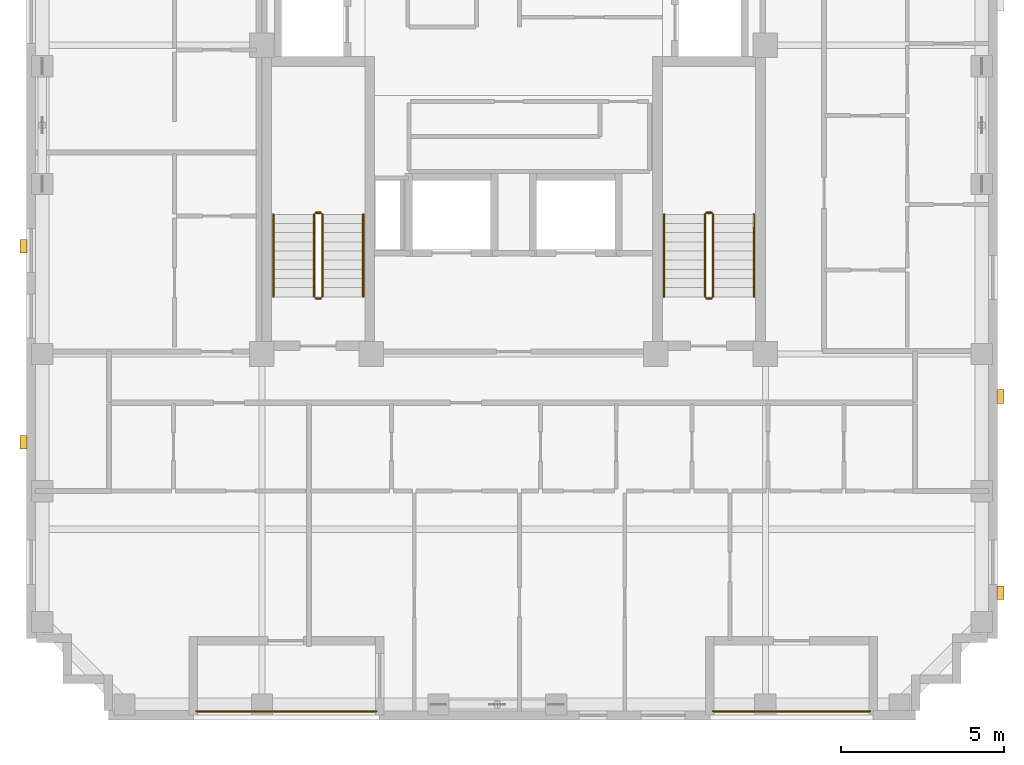
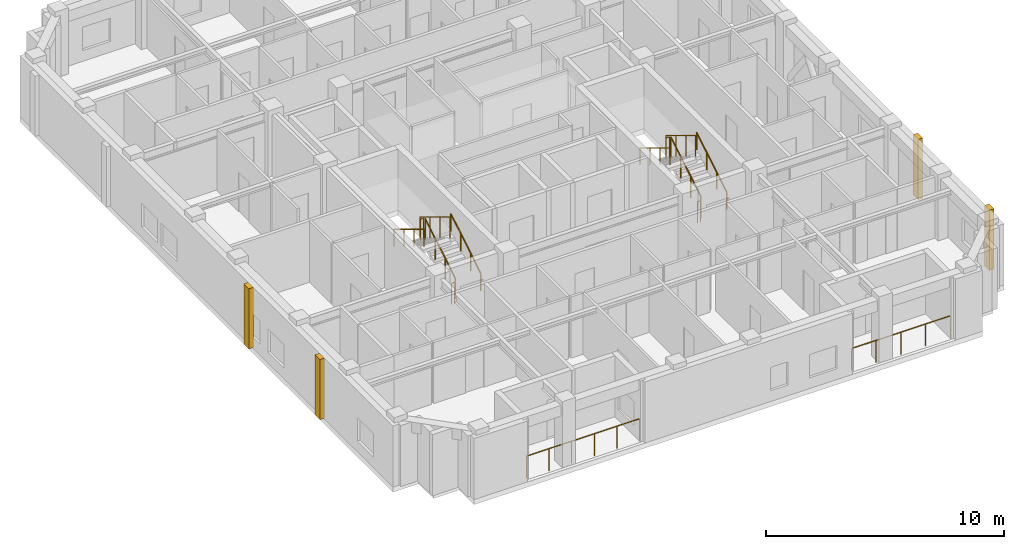
# One storey, part 10 of 11: 14 railings, 4 coverings.
"""IFC4 building model written with IfcOpenShell, lengths in metres."""

from ifc_helpers import new_model, si_unit, derived_unit, direction, frame, origin, origin_2d, place, context, subcontext, project, spatial, rectangle, circle, extrude, material, layer, layer_set, type_object, element, save


model = new_model("IFC4")

# Units and contexts
model_context = context("Model", 3, precision=1e-05, world=origin(), true_north=direction((0.0, 1.0)))
body_context = subcontext(model_context, "Body", "Model", "MODEL_VIEW")
ifc_project = project(units=[si_unit("LENGTHUNIT", "METRE"), si_unit("AREAUNIT", "SQUARE_METRE"), si_unit("VOLUMEUNIT", "CUBIC_METRE"), si_unit("PLANEANGLEUNIT", "RADIAN"), si_unit("MASSUNIT", "GRAM", prefix="KILO"), derived_unit("THERMALTRANSMITTANCEUNIT", [(si_unit("MASSUNIT", "GRAM", prefix="KILO"), 1), (si_unit("TIMEUNIT", "SECOND"), -3), (si_unit("THERMODYNAMICTEMPERATUREUNIT", "KELVIN"), -1)])], contexts=[model_context])

# Site, building, storey
site_placement = place(None, origin())
site = spatial("IfcSite", under=ifc_project, at=site_placement, CompositionType="ELEMENT")
building_placement = place(site_placement, origin())
building = spatial("IfcBuilding", under=site, at=building_placement, Name="Korrvale Station Residences", CompositionType="ELEMENT")
storey_placement = place(building_placement, frame((0.0, 0.0, 241.10009765625)))
storey = spatial("IfcBuildingStorey", under=building, at=storey_placement, Name="L70", CompositionType="ELEMENT", Elevation=241.10009765625)

# Coverings
ifc_material_1 = material(Name="Architectural precast concrete C45/55", Category="concrete")
ifc_layer = layer(ifc_material_1, 0.219970703125, Name="Architectural precast concrete C45/55")
ifc_layer_set = layer_set([ifc_layer], Name="Architectural precast concrete C45/55")
covering_type = type_object("IfcCoveringType", Name="COV-PIER-400", PredefinedType="CLADDING", material=ifc_layer_set)
for number, where, z_axis, x_axis, name in (
    (1, (10.510009765625, 12.300048828125, 0.02490234375), (0.0, 0.0, 1.0), (0.0, 1.0, 0.0), "L70 Architectural Precast Facade Pier 02"),
    (2, (10.510009765625, 18.300048828125, 0.02490234375), (0.0, 0.0, 1.0), (0.0, 1.0, 0.0), "L70 Architectural Precast Facade Pier 03"),
    (3, (40.389892578125, 13.699951171875, 0.02490234375), (0.0, 0.0, 1.0), (0.0, 1.0, 0.0), "L70 Architectural Precast Facade Pier 08"),
    (4, (40.389892578125, 7.699951171875, 0.02490234375), (0.0, 0.0, 1.0), (0.0, 1.0, 0.0), "L70 Architectural Precast Facade Pier 09"),
):
    element("IfcCovering", number, at=place(storey_placement, frame(where, z_axis=z_axis, x_axis=x_axis)), inside=storey, type_object=covering_type, Name=name, PredefinedType="CLADDING", context=body_context, shape_type="SweptSolid", body=[
        extrude(rectangle(XDim=0.419921875, YDim=0.219970703125, at=origin_2d()), origin(), (0.0, 0.0, 1.0), 3.090087890625),
    ])

# Railings
ifc_material_2 = material(Name="Powder-coated aluminium picket loggia guard", Category="aluminium")
railing_type_1 = type_object("IfcRailingType", Name="RLG-BAL-1150", PredefinedType="GUARDRAIL", material=ifc_material_2)
railing_1_placement = place(storey_placement, frame((31.60009765625, 4.070068359375, 0.0)))
element("IfcRailing", 5, at=railing_1_placement, inside=storey, type_object=railing_type_1, Name="L70 Recessed Loggia Guardrail BAL-L70-S2", PredefinedType="GUARDRAIL", context=body_context, shape_type="SweptSolid", body=[
    extrude(circle(Radius=0.02392578125, at=origin_2d()), frame((0.0, 0.0, 1.1259765625), z_axis=(1.0, 0.0, 0.0), x_axis=(0.0, 1.0, 0.0)), (0.0, 0.0, 1.0), 4.7998046875),
    extrude(circle(Radius=0.02099609375, at=origin_2d()), origin(), (0.0, 0.0, 1.0), 1.101806640625),
    extrude(circle(Radius=0.02099609375, at=origin_2d()), frame((1.199951171875, 0.0, 0.0)), (0.0, 0.0, 1.0), 1.101806640625),
    extrude(circle(Radius=0.02099609375, at=origin_2d()), frame((2.39990234375, 0.0, 0.0)), (0.0, 0.0, 1.0), 1.101806640625),
    extrude(circle(Radius=0.02099609375, at=origin_2d()), frame((3.599853515625, 0.0, 0.0)), (0.0, 0.0, 1.0), 1.101806640625),
    extrude(circle(Radius=0.02099609375, at=origin_2d()), frame((4.7998046875, 0.0, 0.0)), (0.0, 0.0, 1.0), 1.101806640625),
])
railing_2_placement = place(storey_placement, frame((15.800048828125, 4.070068359375, 0.0)))
element("IfcRailing", 6, at=railing_2_placement, inside=storey, type_object=railing_type_1, Name="L70 Recessed Loggia Guardrail BAL-L70-S1", PredefinedType="GUARDRAIL", context=body_context, shape_type="SweptSolid", body=[
    extrude(circle(Radius=0.02392578125, at=origin_2d()), frame((0.0, 0.0, 1.1259765625), z_axis=(1.0, 0.0, 0.0), x_axis=(0.0, 1.0, 0.0)), (0.0, 0.0, 1.0), 5.5),
    extrude(circle(Radius=0.02099609375, at=origin_2d()), origin(), (0.0, 0.0, 1.0), 1.101806640625),
    extrude(circle(Radius=0.02099609375, at=origin_2d()), frame((1.10009765625, 0.0, 0.0)), (0.0, 0.0, 1.0), 1.101806640625),
    extrude(circle(Radius=0.02099609375, at=origin_2d()), frame((2.199951171875, 0.0, 0.0)), (0.0, 0.0, 1.0), 1.101806640625),
    extrude(circle(Radius=0.02099609375, at=origin_2d()), frame((3.300048828125, 0.0, 0.0)), (0.0, 0.0, 1.0), 1.101806640625),
    extrude(circle(Radius=0.02099609375, at=origin_2d()), frame((4.39990234375, 0.0, 0.0)), (0.0, 0.0, 1.0), 1.101806640625),
    extrude(circle(Radius=0.02099609375, at=origin_2d()), frame((5.5, 0.0, 0.0)), (0.0, 0.0, 1.0), 1.101806640625),
])
ifc_material_3 = material(Name="Brushed stainless-steel continuous stair handrail", Category="steel")
railing_type_2 = type_object("IfcRailingType", Name="RLG-SHND-900", PredefinedType="HANDRAIL", material=ifc_material_3)
railing_3_placement = place(storey_placement, frame((20.89990234375, 16.75, 0.169921875)))
element("IfcRailing", 7, at=railing_3_placement, inside=storey, type_object=railing_type_2, Name="L70 ST-1 stair handrail 1", PredefinedType="HANDRAIL", context=body_context, shape_type="SweptSolid", body=[
    extrude(circle(Radius=0.02392578125, at=origin_2d()), frame((0.0, 0.0, 0.8759765625), z_axis=(0.0, 0.85478489116, 0.518982456201), x_axis=(-1.0, 0.0, 0.0)), (0.0, 0.0, 1.0), 2.9482421875),
    extrude(circle(Radius=0.02099609375, at=origin_2d()), origin(), (0.0, 0.0, 1.0), 0.851806640625),
    extrude(circle(Radius=0.02099609375, at=origin_2d()), frame((0.0, 0.840087890625, 0.510009765625)), (0.0, 0.0, 1.0), 0.851806640625),
    extrude(circle(Radius=0.02099609375, at=origin_2d()), frame((0.0, 1.679931640625, 1.02001953125)), (0.0, 0.0, 1.0), 0.851806640625),
    extrude(circle(Radius=0.02099609375, at=origin_2d()), frame((0.0, 2.52001953125, 1.530029296875)), (0.0, 0.0, 1.0), 0.851806640625),
])
railing_4_placement = place(storey_placement, frame((18.14990234375, 19.27001953125, 1.869873046875)))
element("IfcRailing", 8, at=railing_4_placement, inside=storey, type_object=railing_type_2, Name="L70 ST-1 stair handrail 2", PredefinedType="HANDRAIL", context=body_context, shape_type="SweptSolid", body=[
    extrude(circle(Radius=0.02392578125, at=origin_2d()), frame((0.0, 0.0, 0.8759765625), z_axis=(0.0, -0.85478489116, 0.518982456201), x_axis=(1.0, 0.0, 0.0)), (0.0, 0.0, 1.0), 2.9482421875),
    extrude(circle(Radius=0.02099609375, at=origin_2d()), origin(), (0.0, 0.0, 1.0), 0.851806640625),
    extrude(circle(Radius=0.02099609375, at=origin_2d()), frame((0.0, -0.840087890625, 0.510009765625)), (0.0, 0.0, 1.0), 0.851806640625),
    extrude(circle(Radius=0.02099609375, at=origin_2d()), frame((0.0, -1.679931640625, 1.02001953125)), (0.0, 0.0, 1.0), 0.851806640625),
    extrude(circle(Radius=0.02099609375, at=origin_2d()), frame((0.0, -2.52001953125, 1.530029296875)), (0.0, 0.0, 1.0), 0.851806640625),
])
railing_5_placement = place(storey_placement, frame((32.85009765625, 16.75, 0.169921875)))
element("IfcRailing", 9, at=railing_5_placement, inside=storey, type_object=railing_type_2, Name="L70 ST-2 stair handrail 1", PredefinedType="HANDRAIL", context=body_context, shape_type="SweptSolid", body=[
    extrude(circle(Radius=0.02392578125, at=origin_2d()), frame((0.0, 0.0, 0.8759765625), z_axis=(0.0, 0.85478489116, 0.518982456201), x_axis=(-1.0, 0.0, 0.0)), (0.0, 0.0, 1.0), 2.9482421875),
    extrude(circle(Radius=0.02099609375, at=origin_2d()), origin(), (0.0, 0.0, 1.0), 0.851806640625),
    extrude(circle(Radius=0.02099609375, at=origin_2d()), frame((0.0, 0.840087890625, 0.510009765625)), (0.0, 0.0, 1.0), 0.851806640625),
    extrude(circle(Radius=0.02099609375, at=origin_2d()), frame((0.0, 1.679931640625, 1.02001953125)), (0.0, 0.0, 1.0), 0.851806640625),
    extrude(circle(Radius=0.02099609375, at=origin_2d()), frame((0.0, 2.52001953125, 1.530029296875)), (0.0, 0.0, 1.0), 0.851806640625),
])
railing_6_placement = place(storey_placement, frame((30.10009765625, 19.27001953125, 1.869873046875)))
element("IfcRailing", 10, at=railing_6_placement, inside=storey, type_object=railing_type_2, Name="L70 ST-2 stair handrail 2", PredefinedType="HANDRAIL", context=body_context, shape_type="SweptSolid", body=[
    extrude(circle(Radius=0.02392578125, at=origin_2d()), frame((0.0, 0.0, 0.8759765625), z_axis=(0.0, -0.85478489116, 0.518982456201), x_axis=(1.0, 0.0, 0.0)), (0.0, 0.0, 1.0), 2.9482421875),
    extrude(circle(Radius=0.02099609375, at=origin_2d()), origin(), (0.0, 0.0, 1.0), 0.851806640625),
    extrude(circle(Radius=0.02099609375, at=origin_2d()), frame((0.0, -0.840087890625, 0.510009765625)), (0.0, 0.0, 1.0), 0.851806640625),
    extrude(circle(Radius=0.02099609375, at=origin_2d()), frame((0.0, -1.679931640625, 1.02001953125)), (0.0, 0.0, 1.0), 0.851806640625),
    extrude(circle(Radius=0.02099609375, at=origin_2d()), frame((0.0, -2.52001953125, 1.530029296875)), (0.0, 0.0, 1.0), 0.851806640625),
])
ifc_material_4 = material(Name="Galvanised painted tubular steel stair guard", Category="steel")
railing_type_3 = type_object("IfcRailingType", Name="RLG-STR-1100", PredefinedType="GUARDRAIL", material=ifc_material_4)
railing_7_placement = place(storey_placement, frame((19.64990234375, 16.75, 0.169921875)))
element("IfcRailing", 11, at=railing_7_placement, inside=storey, type_object=railing_type_3, Name="L70 ST-1 stair guard 1", PredefinedType="GUARDRAIL", context=body_context, shape_type="SweptSolid", body=[
    extrude(circle(Radius=0.02392578125, at=origin_2d()), frame((0.0, 0.0, 1.076171875), z_axis=(0.0, 0.85478489116, 0.518982456201), x_axis=(-1.0, 0.0, 0.0)), (0.0, 0.0, 1.0), 2.9482421875),
    extrude(circle(Radius=0.02099609375, at=origin_2d()), origin(), (0.0, 0.0, 1.0), 1.052001953125),
    extrude(circle(Radius=0.02099609375, at=origin_2d()), frame((0.0, 0.840087890625, 0.510009765625)), (0.0, 0.0, 1.0), 1.052001953125),
    extrude(circle(Radius=0.02099609375, at=origin_2d()), frame((0.0, 1.679931640625, 1.02001953125)), (0.0, 0.0, 1.0), 1.052001953125),
    extrude(circle(Radius=0.02099609375, at=origin_2d()), frame((0.0, 2.52001953125, 1.530029296875)), (0.0, 0.0, 1.0), 1.052001953125),
])
railing_8_placement = place(storey_placement, frame((19.60009765625, 19.320068359375, 1.699951171875)))
element("IfcRailing", 12, at=railing_8_placement, inside=storey, type_object=railing_type_3, Name="L70 ST-1 stair guard 2", PredefinedType="GUARDRAIL", context=body_context, shape_type="SweptSolid", body=[
    extrude(circle(Radius=0.02392578125, at=origin_2d()), frame((0.0, 0.0, 1.076171875), z_axis=(-1.0, 0.0, 0.0), x_axis=(0.0, -1.0, 0.0)), (0.0, 0.0, 1.0), 0.150146484375),
    extrude(circle(Radius=0.02099609375, at=origin_2d()), origin(), (0.0, 0.0, 1.0), 1.052001953125),
    extrude(circle(Radius=0.02099609375, at=origin_2d()), frame((-0.150146484375, 0.0, 0.0)), (0.0, 0.0, 1.0), 1.052001953125),
])
railing_9_placement = place(storey_placement, frame((19.39990234375, 19.27001953125, 1.869873046875)))
element("IfcRailing", 13, at=railing_9_placement, inside=storey, type_object=railing_type_3, Name="L70 ST-1 stair guard 3", PredefinedType="GUARDRAIL", context=body_context, shape_type="SweptSolid", body=[
    extrude(circle(Radius=0.02392578125, at=origin_2d()), frame((0.0, 0.0, 1.076171875), z_axis=(0.0, -0.85478489116, 0.518982456201), x_axis=(1.0, 0.0, 0.0)), (0.0, 0.0, 1.0), 2.9482421875),
    extrude(circle(Radius=0.02099609375, at=origin_2d()), origin(), (0.0, 0.0, 1.0), 1.052001953125),
    extrude(circle(Radius=0.02099609375, at=origin_2d()), frame((0.0, -0.840087890625, 0.510009765625)), (0.0, 0.0, 1.0), 1.052001953125),
    extrude(circle(Radius=0.02099609375, at=origin_2d()), frame((0.0, -1.679931640625, 1.02001953125)), (0.0, 0.0, 1.0), 1.052001953125),
    extrude(circle(Radius=0.02099609375, at=origin_2d()), frame((0.0, -2.52001953125, 1.530029296875)), (0.0, 0.0, 1.0), 1.052001953125),
])
railing_10_placement = place(storey_placement, frame((19.60009765625, 16.699951171875, 0.0)))
element("IfcRailing", 14, at=railing_10_placement, inside=storey, type_object=railing_type_3, Name="L70 ST-1 stair guard 4", PredefinedType="GUARDRAIL", context=body_context, shape_type="SweptSolid", body=[
    extrude(circle(Radius=0.02392578125, at=origin_2d()), frame((0.0, 0.0, 1.076171875), z_axis=(-1.0, 0.0, 0.0), x_axis=(0.0, -1.0, 0.0)), (0.0, 0.0, 1.0), 0.150146484375),
    extrude(circle(Radius=0.02099609375, at=origin_2d()), origin(), (0.0, 0.0, 1.0), 1.052001953125),
    extrude(circle(Radius=0.02099609375, at=origin_2d()), frame((-0.150146484375, 0.0, 0.0)), (0.0, 0.0, 1.0), 1.052001953125),
])
railing_11_placement = place(storey_placement, frame((31.60009765625, 16.75, 0.169921875)))
element("IfcRailing", 15, at=railing_11_placement, inside=storey, type_object=railing_type_3, Name="L70 ST-2 stair guard 1", PredefinedType="GUARDRAIL", context=body_context, shape_type="SweptSolid", body=[
    extrude(circle(Radius=0.02392578125, at=origin_2d()), frame((0.0, 0.0, 1.076171875), z_axis=(0.0, 0.85478489116, 0.518982456201), x_axis=(-1.0, 0.0, 0.0)), (0.0, 0.0, 1.0), 2.9482421875),
    extrude(circle(Radius=0.02099609375, at=origin_2d()), origin(), (0.0, 0.0, 1.0), 1.052001953125),
    extrude(circle(Radius=0.02099609375, at=origin_2d()), frame((0.0, 0.840087890625, 0.510009765625)), (0.0, 0.0, 1.0), 1.052001953125),
    extrude(circle(Radius=0.02099609375, at=origin_2d()), frame((0.0, 1.679931640625, 1.02001953125)), (0.0, 0.0, 1.0), 1.052001953125),
    extrude(circle(Radius=0.02099609375, at=origin_2d()), frame((0.0, 2.52001953125, 1.530029296875)), (0.0, 0.0, 1.0), 1.052001953125),
])
railing_12_placement = place(storey_placement, frame((31.550048828125, 19.320068359375, 1.699951171875)))
element("IfcRailing", 16, at=railing_12_placement, inside=storey, type_object=railing_type_3, Name="L70 ST-2 stair guard 2", PredefinedType="GUARDRAIL", context=body_context, shape_type="SweptSolid", body=[
    extrude(circle(Radius=0.02392578125, at=origin_2d()), frame((0.0, 0.0, 1.076171875), z_axis=(-1.0, 0.0, 0.0), x_axis=(0.0, -1.0, 0.0)), (0.0, 0.0, 1.0), 0.150146484375),
    extrude(circle(Radius=0.02099609375, at=origin_2d()), origin(), (0.0, 0.0, 1.0), 1.052001953125),
    extrude(circle(Radius=0.02099609375, at=origin_2d()), frame((-0.150146484375, 0.0, 0.0)), (0.0, 0.0, 1.0), 1.052001953125),
])
railing_13_placement = place(storey_placement, frame((31.35009765625, 19.27001953125, 1.869873046875)))
element("IfcRailing", 17, at=railing_13_placement, inside=storey, type_object=railing_type_3, Name="L70 ST-2 stair guard 3", PredefinedType="GUARDRAIL", context=body_context, shape_type="SweptSolid", body=[
    extrude(circle(Radius=0.02392578125, at=origin_2d()), frame((0.0, 0.0, 1.076171875), z_axis=(0.0, -0.85478489116, 0.518982456201), x_axis=(1.0, 0.0, 0.0)), (0.0, 0.0, 1.0), 2.9482421875),
    extrude(circle(Radius=0.02099609375, at=origin_2d()), origin(), (0.0, 0.0, 1.0), 1.052001953125),
    extrude(circle(Radius=0.02099609375, at=origin_2d()), frame((0.0, -0.840087890625, 0.510009765625)), (0.0, 0.0, 1.0), 1.052001953125),
    extrude(circle(Radius=0.02099609375, at=origin_2d()), frame((0.0, -1.679931640625, 1.02001953125)), (0.0, 0.0, 1.0), 1.052001953125),
    extrude(circle(Radius=0.02099609375, at=origin_2d()), frame((0.0, -2.52001953125, 1.530029296875)), (0.0, 0.0, 1.0), 1.052001953125),
])
railing_14_placement = place(storey_placement, frame((31.550048828125, 16.699951171875, 0.0)))
element("IfcRailing", 18, at=railing_14_placement, inside=storey, type_object=railing_type_3, Name="L70 ST-2 stair guard 4", PredefinedType="GUARDRAIL", context=body_context, shape_type="SweptSolid", body=[
    extrude(circle(Radius=0.02392578125, at=origin_2d()), frame((0.0, 0.0, 1.076171875), z_axis=(-1.0, 0.0, 0.0), x_axis=(0.0, -1.0, 0.0)), (0.0, 0.0, 1.0), 0.150146484375),
    extrude(circle(Radius=0.02099609375, at=origin_2d()), origin(), (0.0, 0.0, 1.0), 1.052001953125),
    extrude(circle(Radius=0.02099609375, at=origin_2d()), frame((-0.150146484375, 0.0, 0.0)), (0.0, 0.0, 1.0), 1.052001953125),
])

save(model, "model.ifc")
